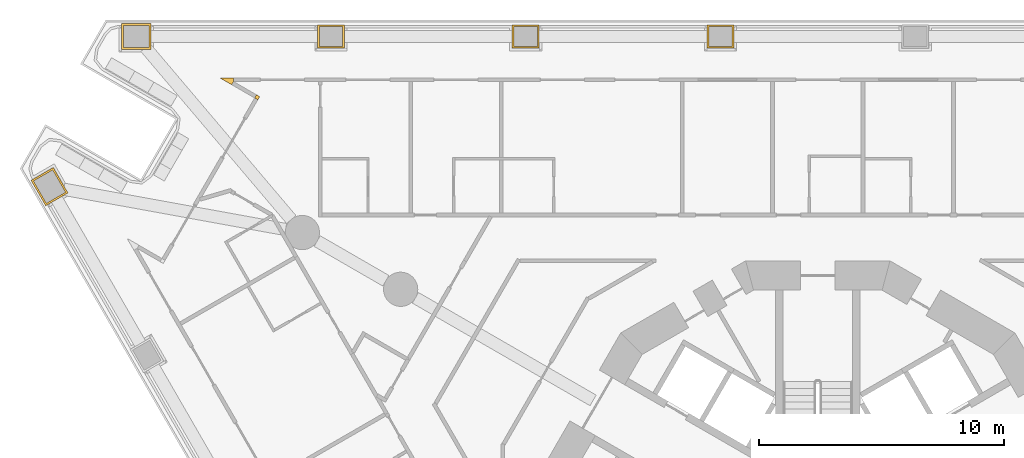
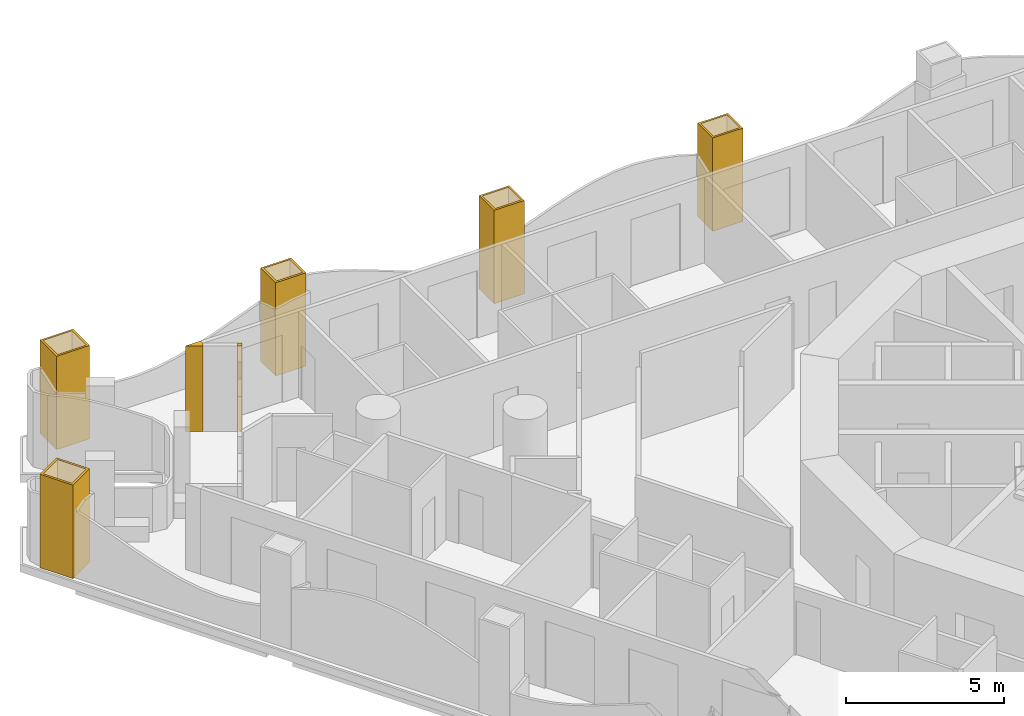
# One storey, part 17 of 20: 7 coverings.
"""IFC4 building model written with IfcOpenShell, lengths in metres."""

from ifc_helpers import new_model, si_unit, direction, frame, origin, place, context, subcontext, project, spatial, polyline, outline, extrude, material, layer, layer_set, type_object, element, save


model = new_model("IFC4")

# Units and contexts
model_context = context("Model", 3, precision=1e-05, world=origin(), true_north=direction((0.0, 1.0)))
body_context = subcontext(model_context, "Body", "Model", "MODEL_VIEW")
ifc_project = project(units=[si_unit("LENGTHUNIT", "METRE"), si_unit("AREAUNIT", "SQUARE_METRE"), si_unit("VOLUMEUNIT", "CUBIC_METRE"), si_unit("PLANEANGLEUNIT", "RADIAN"), si_unit("MASSUNIT", "GRAM", prefix="KILO")], contexts=[model_context])

# Site, building, storey
site_placement = place(None, origin())
site = spatial("IfcSite", under=ifc_project, at=site_placement, CompositionType="ELEMENT")
building_placement = place(site_placement, origin())
building = spatial("IfcBuilding", under=site, at=building_placement, Name="Trine Commons Tower", CompositionType="ELEMENT")
storey_placement = place(building_placement, frame((0.0, 0.0, 38.699951171875)))
storey = spatial("IfcBuildingStorey", under=building, at=storey_placement, Name="L08", CompositionType="ELEMENT", Elevation=38.699951171875)

# Coverings
ifc_material_1 = material(Name="Aluminium-framed insulated wall panel", Category="aluminium")
ifc_layer_1 = layer(ifc_material_1, 0.14990234375)
ifc_layer_set_1 = layer_set([ifc_layer_1], Name="Aluminium-framed insulated wall panel")
covering_type_1 = type_object("IfcCoveringType", Name="Glazing corner post, aluminium", PredefinedType="CLADDING", material=ifc_layer_set_1)
covering_1_placement = place(storey_placement, origin())
element("IfcCovering", 1, at=covering_1_placement, inside=storey, type_object=covering_type_1, Name="Glazing corner post 1-03", PredefinedType="CLADDING", context=body_context, shape_type="SweptSolid", body=[
    extrude(outline(polyline([(57.101318359375, 80.0966796875), (57.176513671875, 80.226806640625), (57.04638671875, 80.3017578125), (56.971435546875, 80.171875), (57.101318359375, 80.0966796875)])), origin(), (0.0, 0.0, 1.0), 3.300048828125),
])
covering_2_placement = place(storey_placement, origin())
element("IfcCovering", 2, at=covering_2_placement, inside=storey, type_object=covering_type_1, Name="Glazing corner post 1-04", PredefinedType="CLADDING", context=body_context, shape_type="SweptSolid", body=[
    extrude(outline(polyline([(56.03125, 80.714599609375), (56.106201171875, 80.844482421875), (56.106201171875, 80.99462890625), (55.54638671875, 80.99462890625), (56.03125, 80.714599609375)])), origin(), (0.0, 0.0, 1.0), 3.300048828125),
])
ifc_material_2 = material(Name="Limestone, honed", Category="masonry")
ifc_layer_2 = layer(ifc_material_2, 0.074951171875)
ifc_layer_set_2 = layer_set([ifc_layer_2], Name="Limestone, honed")
covering_type_2 = type_object("IfcCoveringType", Name="Limestone column cladding 75", PredefinedType="CLADDING", material=ifc_layer_set_2)
covering_3_placement = place(storey_placement, origin())
element("IfcCovering", 3, at=covering_3_placement, inside=storey, type_object=covering_type_2, Name="Limestone pier cladding 1-08", PredefinedType="CLADDING", context=body_context, shape_type="SweptSolid", body=[
    extrude(outline(polyline([(48.73828125, 77.327392578125), (47.8291015625, 76.802490234375), (48.428955078125, 75.76318359375), (49.33837890625, 76.288330078125), (48.73828125, 77.327392578125)]), holes=[polyline([(48.7109375, 77.22509765625), (47.931396484375, 76.775146484375), (48.45654296875, 75.86572265625), (49.23583984375, 76.315673828125), (48.7109375, 77.22509765625)])]), origin(), (0.0, 0.0, 1.0), 3.60009765625),
])
covering_4_placement = place(storey_placement, origin())
element("IfcCovering", 4, at=covering_4_placement, inside=storey, type_object=covering_type_2, Name="Limestone pier cladding 1-09", PredefinedType="CLADDING", context=body_context, shape_type="SweptSolid", body=[
    extrude(outline(polyline([(52.728271484375, 82.15966796875), (52.728271484375, 83.209716796875), (51.5283203125, 83.209716796875), (51.5283203125, 82.15966796875), (52.728271484375, 82.15966796875)]), holes=[polyline([(52.6533203125, 82.234619140625), (52.6533203125, 83.134521484375), (51.603271484375, 83.134521484375), (51.603271484375, 82.234619140625), (52.6533203125, 82.234619140625)])]), origin(), (0.0, 0.0, 1.0), 3.60009765625),
])
covering_5_placement = place(storey_placement, origin())
element("IfcCovering", 5, at=covering_5_placement, inside=storey, type_object=covering_type_2, Name="Limestone pier cladding 1-10", PredefinedType="CLADDING", context=body_context, shape_type="SweptSolid", body=[
    extrude(outline(polyline([(60.6416015625, 82.209716796875), (60.6416015625, 83.15966796875), (59.54150390625, 83.15966796875), (59.54150390625, 82.209716796875), (60.6416015625, 82.209716796875)]), holes=[polyline([(60.566650390625, 82.28466796875), (60.566650390625, 83.084716796875), (59.61669921875, 83.084716796875), (59.61669921875, 82.28466796875), (60.566650390625, 82.28466796875)])]), origin(), (0.0, 0.0, 1.0), 3.60009765625),
])
covering_6_placement = place(storey_placement, origin())
element("IfcCovering", 6, at=covering_6_placement, inside=storey, type_object=covering_type_2, Name="Limestone pier cladding 1-11", PredefinedType="CLADDING", context=body_context, shape_type="SweptSolid", body=[
    extrude(outline(polyline([(68.60498046875, 82.209716796875), (68.60498046875, 83.15966796875), (67.5048828125, 83.15966796875), (67.5048828125, 82.209716796875), (68.60498046875, 82.209716796875)]), holes=[polyline([(68.52978515625, 82.28466796875), (68.52978515625, 83.084716796875), (67.579833984375, 83.084716796875), (67.579833984375, 82.28466796875), (68.52978515625, 82.28466796875)])]), origin(), (0.0, 0.0, 1.0), 3.60009765625),
])
covering_7_placement = place(storey_placement, origin())
element("IfcCovering", 7, at=covering_7_placement, inside=storey, type_object=covering_type_2, Name="Limestone pier cladding 1-12", PredefinedType="CLADDING", context=body_context, shape_type="SweptSolid", body=[
    extrude(outline(polyline([(76.568359375, 82.209716796875), (76.568359375, 83.15966796875), (75.46826171875, 83.15966796875), (75.46826171875, 82.209716796875), (76.568359375, 82.209716796875)]), holes=[polyline([(76.493408203125, 82.28466796875), (76.493408203125, 83.084716796875), (75.543212890625, 83.084716796875), (75.543212890625, 82.28466796875), (76.493408203125, 82.28466796875)])]), origin(), (0.0, 0.0, 1.0), 3.60009765625),
])

save(model, "model.ifc")
